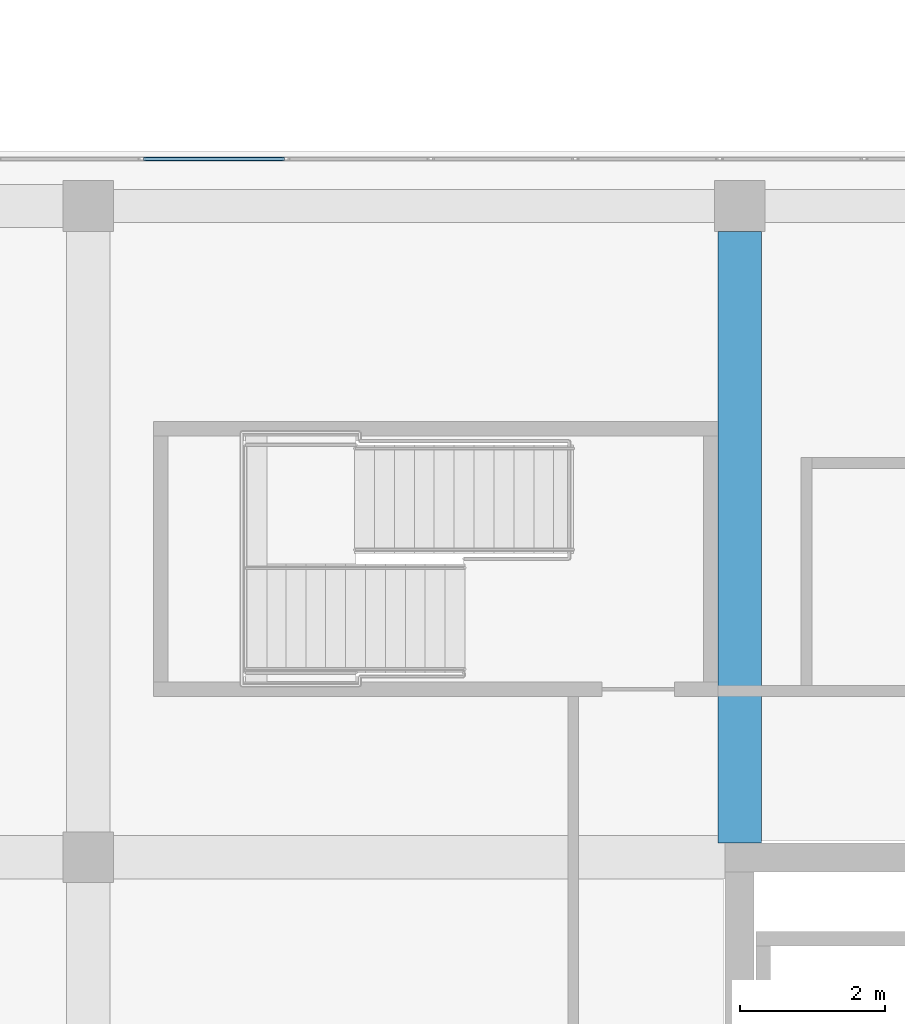
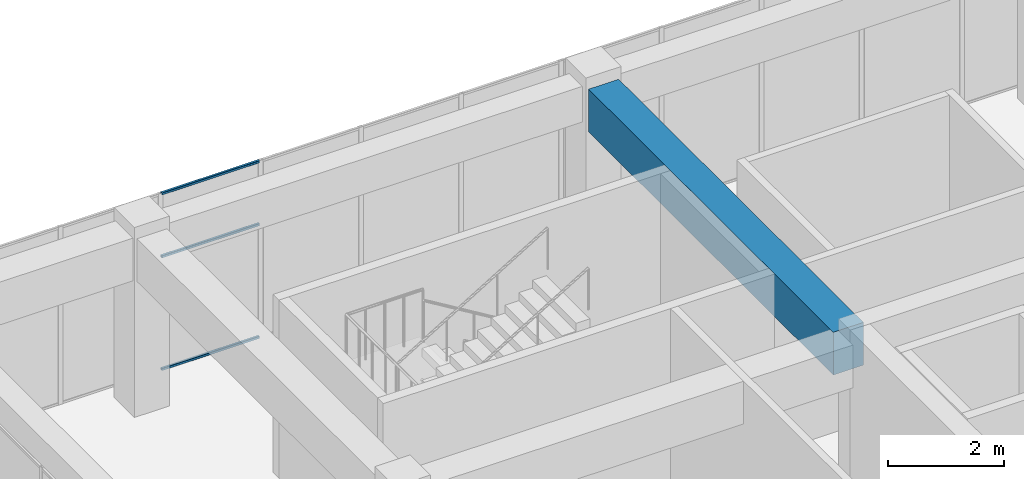
# One storey, part 30 of 49: 3 members, 1 beam, 1 element without a shape of its own.
"""IFC4 building model written with IfcOpenShell, lengths in metres."""

import ifcopenshell
import ifcopenshell.guid

model = None  # the IFC model being written
_history = None  # IfcOwnerHistory: only IFC2X3 demands one
_inside = {}  # id of a spatial element -> (the spatial element, [elements in it])
_under = {}  # id of a project, library or spatial element -> (it, [spatial elements below it])
_declared = {}  # id of a project -> (the project, [libraries it declares])
_typed = {}  # id of a type object -> (the type object, [elements of that type])
_made_of = {}  # id of a material, layer set ... -> (it, [elements and type objects made of it])


def new_model(schema):
    """Start an empty IFC model of exactly this schema.

    Asked for "IFC4X3", IfcOpenShell would pick the latest addendum, in which some entities
    have other attributes; the version numbers below select the first issue.
    IFC2X3 requires an IfcOwnerHistory on every rooted entity: one is made here for all.
    """
    global model, _history
    if schema == "IFC4X3":
        model = ifcopenshell.file(schema_version=(4, 3, 0, 0))
    else:
        model = ifcopenshell.file(schema=schema)
    _inside.clear()
    _under.clear()
    _declared.clear()
    _typed.clear()
    _made_of.clear()
    _history = None
    if model.schema == "IFC2X3":
        org = make("IfcOrganization", Name="unknown")
        user = make(
            "IfcPersonAndOrganization",
            ThePerson=make("IfcPerson", FamilyName="unknown"),
            TheOrganization=org,
        )
        app = make(
            "IfcApplication",
            ApplicationDeveloper=org,
            Version="unknown",
            ApplicationFullName="unknown",
            ApplicationIdentifier="unknown",
        )
        _history = make(
            "IfcOwnerHistory",
            OwningUser=user,
            OwningApplication=app,
            ChangeAction="ADDED",
            CreationDate=0,
        )
    return model


def make(cls, **values):
    """One entity of the class cls with the attributes given. An attribute that is None is left unset."""
    return model.create_entity(
        cls, **{name: value for name, value in values.items() if value is not None}
    )


def rooted(cls, **values):
    """An entity with a GlobalId (a new one), such as an element, a storey or a relation."""
    return make(cls, GlobalId=ifcopenshell.guid.new(), OwnerHistory=_history, **values)


def si_unit(unit_type, name, prefix=None):
    """IfcSIUnit, for example si_unit("LENGTHUNIT", "METRE", prefix="MILLI")."""
    return make("IfcSIUnit", UnitType=unit_type, Prefix=prefix, Name=name)


def assignment(units):
    """IfcUnitAssignment: the units of a project."""
    return None if units is None else make("IfcUnitAssignment", Units=units)


def point(xyz):
    """IfcCartesianPoint."""
    return None if xyz is None else make("IfcCartesianPoint", Coordinates=xyz)


def direction(xyz):
    """IfcDirection."""
    return None if xyz is None else make("IfcDirection", DirectionRatios=xyz)


def frame(location, z_axis=None, x_axis=None):
    """IfcAxis2Placement3D, a coordinate frame: its origin and axes. An axis left out is left unset."""
    return make(
        "IfcAxis2Placement3D",
        Location=point(location),
        Axis=direction(z_axis),
        RefDirection=direction(x_axis),
    )


def frame_2d(location, x_axis=None):
    """IfcAxis2Placement2D, a coordinate frame in the plane: its origin and x axis."""
    return make(
        "IfcAxis2Placement2D", Location=point(location), RefDirection=direction(x_axis)
    )


def origin():
    """The frame at (0, 0, 0) with its axes left unset."""
    return frame((0.0, 0.0, 0.0))


def origin_2d():
    """The frame at (0, 0) in the plane with its x axis left unset."""
    return frame_2d((0.0, 0.0))


def place(relative_to, where):
    """IfcLocalPlacement: puts the frame where relative to a parent placement (None: the world)."""
    return make(
        "IfcLocalPlacement", PlacementRelTo=relative_to, RelativePlacement=where
    )


def context(
    kind, dimensions, precision=None, world=None, true_north=None, identifier=None
):
    """IfcGeometricRepresentationContext, for example the 3D "Model" context."""
    return make(
        "IfcGeometricRepresentationContext",
        ContextIdentifier=identifier,
        ContextType=kind,
        CoordinateSpaceDimension=dimensions,
        Precision=precision,
        WorldCoordinateSystem=world,
        TrueNorth=true_north,
    )


def subcontext(parent, identifier, kind, view, scale=None):
    """IfcGeometricRepresentationSubContext, for example "Body" below "Model"."""
    return make(
        "IfcGeometricRepresentationSubContext",
        ContextIdentifier=identifier,
        ContextType=kind,
        ParentContext=parent,
        TargetScale=scale,
        TargetView=view,
    )


def project(units=None, contexts=None):
    """IfcProject with its units and contexts."""
    return rooted(
        "IfcProject",
        Name="project",
        RepresentationContexts=contexts,
        UnitsInContext=assignment(units),
    )


def spatial(cls, under=None, at=None, **own):
    """A site, building, storey or space (cls), placed at a placement, below another one or the project."""
    s = rooted(cls, ObjectPlacement=at, **own)
    if under is not None:
        _under.setdefault(under.id(), (under, []))[1].append(s)
    return s


def profile(cls, at=None, kind="AREA", **sizes):
    """A parametric profile (cls). Its sizes go by their IFC names, for example OverallWidth=200.0."""
    return make(cls, ProfileType=kind, Position=at, **sizes)


def rectangle(**sizes):
    """IfcRectangleProfileDef."""
    return profile("IfcRectangleProfileDef", **sizes)


def hollow_rectangle(**sizes):
    """IfcRectangleHollowProfileDef."""
    return profile("IfcRectangleHollowProfileDef", **sizes)


def extrude(swept, where, along, depth):
    """IfcExtrudedAreaSolid: the profile swept, set in the frame where, extruded along a direction by depth."""
    return make(
        "IfcExtrudedAreaSolid",
        SweptArea=swept,
        Position=where,
        ExtrudedDirection=direction(along),
        Depth=depth,
    )


def shape(context_of_items, identifier, shape_type, items):
    """IfcShapeRepresentation: the items that make up one representation, for example the "Body"."""
    return make(
        "IfcShapeRepresentation",
        ContextOfItems=context_of_items,
        RepresentationIdentifier=identifier,
        RepresentationType=shape_type,
        Items=items,
    )


def material(Name=None, Category=None):
    """IfcMaterial."""
    return make("IfcMaterial", Name=Name, Category=Category)


def layer(
    of_material, thickness, ventilated=None, Name=None, Category=None, Priority=None
):
    """IfcMaterialLayer: one layer of a wall or slab, of a material (None: an air gap)."""
    return make(
        "IfcMaterialLayer",
        Material=of_material,
        LayerThickness=thickness,
        IsVentilated=ventilated,
        Name=Name,
        Category=Category,
        Priority=Priority,
    )


def layer_set(layers, Name=None):
    """IfcMaterialLayerSet."""
    return make("IfcMaterialLayerSet", MaterialLayers=layers, LayerSetName=Name)


def material_profile(
    of_material, cross_section, Name=None, Category=None, Priority=None
):
    """IfcMaterialProfile: a cross section and its material."""
    return make(
        "IfcMaterialProfile",
        Name=Name,
        Material=of_material,
        Profile=cross_section,
        Priority=Priority,
        Category=Category,
    )


def profile_set(profiles, Name=None, composite=None):
    """IfcMaterialProfileSet."""
    return make(
        "IfcMaterialProfileSet",
        Name=Name,
        MaterialProfiles=profiles,
        CompositeProfile=composite,
    )


def made_of(thing, what):
    """Note that an element or type object is made of a material, layer set ...; save() writes the relation."""
    if what is not None:
        _made_of.setdefault(what.id(), (what, []))[1].append(thing)
    return thing


def type_object(cls, material=None, **own):
    """A type object (cls), such as IfcWallType, which elements share."""
    return made_of(rooted(cls, **own), material)


def element(
    cls,
    number,
    at=None,
    inside=None,
    cuts=None,
    type_object=None,
    material=None,
    context=None,
    identifier="Body",
    shape_type=None,
    held_by="IfcProductDefinitionShape",
    body=None,
    shapes=None,
    **own,
):
    """One element of the class cls, such as IfcWall. Its Tag is "e" and its number.

    at: its placement. inside: the storey or other place that contains it. cuts: it is an
    opening in that element (IfcRelVoidsElement). A single representation is given by context,
    identifier, shape_type and body (its items); several are given by shapes. held_by: the class
    of the entity that holds the representations. save() writes the other relations.
    """
    e = rooted(cls, Tag="e%d" % number, ObjectPlacement=at, **own)
    if body is not None:
        shapes = [shape(context, identifier, shape_type, body)]
    if shapes is not None:
        e.Representation = make(held_by, Representations=shapes)
    if inside is not None:
        _inside.setdefault(inside.id(), (inside, []))[1].append(e)
    if cuts is not None:
        rooted(
            "IfcRelVoidsElement", RelatingBuildingElement=cuts, RelatedOpeningElement=e
        )
    if type_object is not None:
        _typed.setdefault(type_object.id(), (type_object, []))[1].append(e)
    return made_of(e, material)


def aggregate(whole, parts):
    """IfcRelAggregates: a whole, such as a stair, and the parts it consists of."""
    return rooted("IfcRelAggregates", RelatingObject=whole, RelatedObjects=parts)


def save(model, path):
    """Write the relations noted so far, then the file.

    IfcRelAggregates (storeys below a building ...), IfcRelContainedInSpatialStructure (elements
    in a storey), IfcRelDefinesByType, IfcRelAssociatesMaterial and IfcRelDeclares: one each for
    every whole, place, type object, material and project.
    """
    for whole, parts in _under.values():
        aggregate(whole, parts)
    for where, things in _inside.values():
        rooted(
            "IfcRelContainedInSpatialStructure",
            RelatedElements=things,
            RelatingStructure=where,
        )
    for kind, things in _typed.values():
        rooted("IfcRelDefinesByType", RelatedObjects=things, RelatingType=kind)
    for what, things in _made_of.values():
        rooted("IfcRelAssociatesMaterial", RelatedObjects=things, RelatingMaterial=what)
    for by, libraries in _declared.values():
        rooted("IfcRelDeclares", RelatingContext=by, RelatedDefinitions=libraries)
    model.write(path)


model = new_model("IFC4")

# Units and contexts
model_context = context("Model", 3, precision=1e-05, world=origin(), true_north=direction((0.0, 1.0)))
body_context = subcontext(model_context, "Body", "Model", "MODEL_VIEW")
ifc_project = project(units=[si_unit("LENGTHUNIT", "METRE"), si_unit("AREAUNIT", "SQUARE_METRE"), si_unit("VOLUMEUNIT", "CUBIC_METRE"), si_unit("PLANEANGLEUNIT", "RADIAN"), si_unit("MASSUNIT", "GRAM", prefix="KILO")], contexts=[model_context])

# Site, building, storey
site_placement = place(None, origin())
site = spatial("IfcSite", under=ifc_project, at=site_placement, CompositionType="ELEMENT")
building_placement = place(site_placement, origin())
building = spatial("IfcBuilding", under=site, at=building_placement, Name="Tuart Plaza Theatre", CompositionType="ELEMENT")
storey_placement = place(building_placement, frame((0.0, 0.0, 29.5)))
storey = spatial("IfcBuildingStorey", under=building, at=storey_placement, Name="L07", CompositionType="ELEMENT", Elevation=29.5)

# Beam
ifc_material_1 = material(Name="Concrete N40 (40 MPa)", Category="concrete")
ifc_material_profile_1 = material_profile(ifc_material_1, rectangle(XDim=0.60009765625, YDim=0.89990234375, at=origin_2d()), Name="BEAM 600x900 Concrete N40 (40 MPa)")
ifc_profile_set_1 = profile_set([ifc_material_profile_1], Name="Concrete N40 (40 MPa)")
beam_type = type_object("IfcBeamType", Name="BEAM 600x900 Concrete N40 (40 MPa)", PredefinedType="BEAM", material=ifc_profile_set_1)
beam_placement = place(storey_placement, frame((123.0, 83.199951171875, 3.300048828125), z_axis=(0.0, 1.0, 0.0), x_axis=(-1.0, 0.0, 0.0)))
element("IfcBeam", 1, at=beam_placement, inside=storey, type_object=beam_type, Name="RB266", PredefinedType="BEAM", context=body_context, shape_type="SweptSolid", body=[
    extrude(rectangle(XDim=0.60009765625, YDim=0.89990234375, at=origin_2d()), origin(), (0.0, 0.0, 1.0), 8.449951171875),
])

# Curtain wall, members
ifc_material_2 = material(Name="Aluminium and glass", Category="aluminium")
ifc_layer = layer(ifc_material_2, 0.10009765625)
ifc_layer_set = layer_set([ifc_layer], Name="CURTAIN WALL 2000 module")
curtain_wall_type = type_object("IfcCurtainWallType", Name="CURTAIN WALL 2000 module", PredefinedType="NOTDEFINED", material=ifc_layer_set)
curtain_wall_placement = place(storey_placement, origin())
curtain_wall = element("IfcCurtainWall", 2, at=curtain_wall_placement, inside=storey, type_object=curtain_wall_type, Name="CW96", PredefinedType="NOTDEFINED")
ifc_material_3 = material(Name="Aluminium 6063-T5", Category="aluminium")
ifc_material_profile_2 = material_profile(ifc_material_3, hollow_rectangle(XDim=0.050048828125, YDim=0.050048828125, WallThickness=0.00390625, InnerFilletRadius=0.00390625, OuterFilletRadius=0.008056640625, at=origin_2d()), Name="RHS 50x50x4")
ifc_profile_set_2 = profile_set([ifc_material_profile_2], Name="Aluminium 6063-T5")
member_type = type_object("IfcMemberType", Name="TRANSOM RHS 50x50x4", PredefinedType="USERDEFINED", material=ifc_profile_set_2)
member_1_placement = place(storey_placement, frame((116.709716796875, 92.64990234375, 0.02490234375), z_axis=(-1.0, 0.0, 0.0), x_axis=(0.0, -1.0, 0.0)))
member_1 = element("IfcMember", 3, at=member_1_placement, type_object=member_type, Name="CW96 transom 10.1", ObjectType="TRANSOM", PredefinedType="USERDEFINED", context=body_context, shape_type="SweptSolid", body=[
    extrude(hollow_rectangle(XDim=0.050048828125, YDim=0.050048828125, WallThickness=0.00390625, InnerFilletRadius=0.00390625, OuterFilletRadius=0.008056640625, at=origin_2d()), origin(), (0.0, 0.0, 1.0), 1.9462890625),
])
member_2_placement = place(storey_placement, frame((116.709716796875, 92.64990234375, 2.39990234375), z_axis=(-1.0, 0.0, 0.0), x_axis=(0.0, -1.0, 0.0)))
member_2 = element("IfcMember", 4, at=member_2_placement, type_object=member_type, Name="CW96 transom 10.2", ObjectType="TRANSOM", PredefinedType="USERDEFINED", context=body_context, shape_type="SweptSolid", body=[
    extrude(hollow_rectangle(XDim=0.050048828125, YDim=0.050048828125, WallThickness=0.00390625, InnerFilletRadius=0.00390625, OuterFilletRadius=0.008056640625, at=origin_2d()), origin(), (0.0, 0.0, 1.0), 1.9462890625),
])
member_3_placement = place(storey_placement, frame((116.709716796875, 92.64990234375, 3.72509765625), z_axis=(-1.0, 0.0, 0.0), x_axis=(0.0, -1.0, 0.0)))
member_3 = element("IfcMember", 5, at=member_3_placement, type_object=member_type, Name="CW96 transom 10.3", ObjectType="TRANSOM", PredefinedType="USERDEFINED", context=body_context, shape_type="SweptSolid", body=[
    extrude(hollow_rectangle(XDim=0.050048828125, YDim=0.050048828125, WallThickness=0.00390625, InnerFilletRadius=0.00390625, OuterFilletRadius=0.008056640625, at=origin_2d()), origin(), (0.0, 0.0, 1.0), 1.9462890625),
])
aggregate(curtain_wall, [member_1, member_2, member_3])

save(model, "model.ifc")
